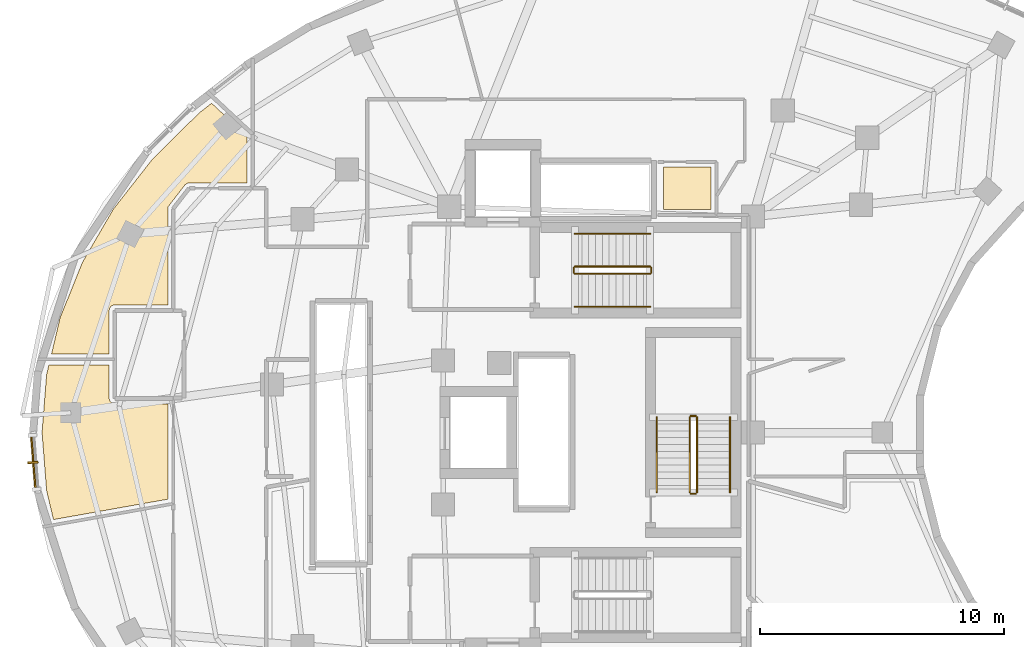
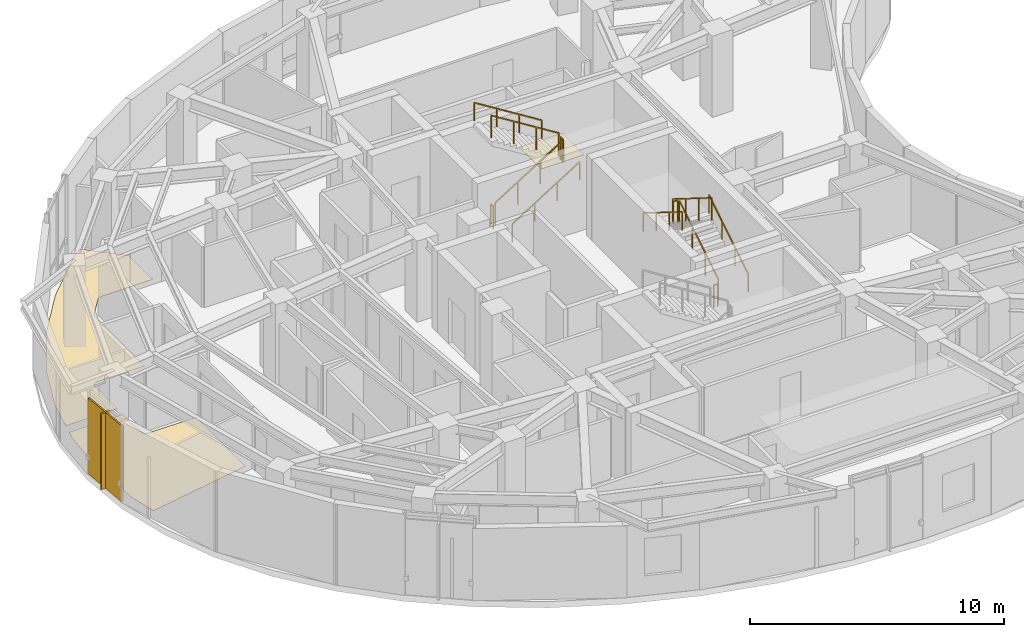
# One storey, part 12 of 13: 12 railings, 3 coverings, 2 shading devices.
"""IFC4 building model written with IfcOpenShell, lengths in metres."""

from ifc_helpers import new_model, si_unit, direction, frame, origin, origin_2d, place, context, subcontext, project, spatial, polyline, rectangle, outline, extrude, material, layer, layer_set, type_object, element, save


model = new_model("IFC4")

# Units and contexts
model_context = context("Model", 3, precision=1e-05, world=origin(), true_north=direction((0.0, 1.0)))
body_context = subcontext(model_context, "Body", "Model", "MODEL_VIEW")
ifc_project = project(units=[si_unit("LENGTHUNIT", "METRE"), si_unit("AREAUNIT", "SQUARE_METRE"), si_unit("VOLUMEUNIT", "CUBIC_METRE"), si_unit("PLANEANGLEUNIT", "RADIAN"), si_unit("MASSUNIT", "GRAM", prefix="KILO")], contexts=[model_context])

# Site, building, storey
site_placement = place(None, origin())
site = spatial("IfcSite", under=ifc_project, at=site_placement, CompositionType="ELEMENT")
building_placement = place(site_placement, origin())
building = spatial("IfcBuilding", under=site, at=building_placement, Name="Korentha Bioscience Tower", CompositionType="ELEMENT")
storey_placement = place(building_placement, frame((0.0, 0.0, 260.39990234375)))
storey = spatial("IfcBuildingStorey", under=building, at=storey_placement, Name="L60", CompositionType="ELEMENT", Elevation=260.39990234375)

# Covering
ifc_material_1 = material(Name="Vitrified Porcelain Tile", Category="ceramic")
ifc_layer_1 = layer(ifc_material_1, 0.014892578125, Name="Vitrified Porcelain Tile")
ifc_layer_set_1 = layer_set([ifc_layer_1], Name="Vitrified Porcelain Tile (FL-CER)")
covering_type_1 = type_object("IfcCoveringType", Name="Anti-Slip Ceramic Wet-Room Tile Flooring 15", PredefinedType="FLOORING", material=ifc_layer_set_1)
covering_1_placement = place(storey_placement, origin())
element("IfcCovering", 1, at=covering_1_placement, inside=storey, type_object=covering_type_1, Name="L60 Accessible Staff WC Floor Finish", PredefinedType="FLOORING", context=body_context, shape_type="SweptSolid", body=[
    extrude(outline(polyline([(33.8701171875, 36.1298828125), (33.8701171875, 37.8701171875), (35.830078125, 37.8701171875), (35.830078125, 36.1298828125), (33.8701171875, 36.1298828125)])), origin(), (0.0, 0.0, 1.0), 0.01513671875),
])

# Railings
ifc_material_2 = material(Name="Stainless Steel 304", Category="steel")
railing_type_1 = type_object("IfcRailingType", Name="Brushed Stainless Stair Handrail 900", PredefinedType="HANDRAIL", material=ifc_material_2)
railing_1_placement = place(storey_placement, frame((30.25, 32.14990234375, 0.175048828125)))
element("IfcRailing", 2, at=railing_1_placement, inside=storey, type_object=railing_type_1, Name="L60 ST-1 stair handrail 1", PredefinedType="HANDRAIL", context=body_context, shape_type="SweptSolid", body=[
    extrude(rectangle(XDim=0.048095703125, YDim=0.048095703125, at=origin_2d()), frame((0.0, 0.0, 0.8759765625), z_axis=(0.847998304005, 0.0, 0.529998940003), x_axis=(0.0, 1.0, 0.0)), (0.0, 0.0, 1.0), 3.632080078125),
    extrude(rectangle(XDim=0.0419921875, YDim=0.0419921875, at=origin_2d()), origin(), (0.0, 0.0, 1.0), 0.851806640625),
    extrude(rectangle(XDim=0.0419921875, YDim=0.0419921875, at=origin_2d()), frame((1.026611328125, 0.0, 0.6416015625)), (0.0, 0.0, 1.0), 0.851806640625),
    extrude(rectangle(XDim=0.0419921875, YDim=0.0419921875, at=origin_2d()), frame((2.053466796875, 0.0, 1.283447265625)), (0.0, 0.0, 1.0), 0.851806640625),
    extrude(rectangle(XDim=0.0419921875, YDim=0.0419921875, at=origin_2d()), frame((3.080078125, 0.0, 1.925048828125)), (0.0, 0.0, 1.0), 0.851806640625),
])
railing_2_placement = place(storey_placement, frame((33.330078125, 35.14990234375, 2.275146484375)))
element("IfcRailing", 3, at=railing_2_placement, inside=storey, type_object=railing_type_1, Name="L60 ST-1 stair handrail 2", PredefinedType="HANDRAIL", context=body_context, shape_type="SweptSolid", body=[
    extrude(rectangle(XDim=0.048095703125, YDim=0.048095703125, at=origin_2d()), frame((0.0, 0.0, 0.8759765625), z_axis=(-0.847998304005, 0.0, 0.529998940003), x_axis=(0.0, -1.0, 0.0)), (0.0, 0.0, 1.0), 3.632080078125),
    extrude(rectangle(XDim=0.0419921875, YDim=0.0419921875, at=origin_2d()), origin(), (0.0, 0.0, 1.0), 0.851806640625),
    extrude(rectangle(XDim=0.0419921875, YDim=0.0419921875, at=origin_2d()), frame((-1.026611328125, 0.0, 0.6416015625)), (0.0, 0.0, 1.0), 0.851806640625),
    extrude(rectangle(XDim=0.0419921875, YDim=0.0419921875, at=origin_2d()), frame((-2.053466796875, 0.0, 1.283447265625)), (0.0, 0.0, 1.0), 0.851806640625),
    extrude(rectangle(XDim=0.0419921875, YDim=0.0419921875, at=origin_2d()), frame((-3.080078125, 0.0, 1.925048828125)), (0.0, 0.0, 1.0), 0.851806640625),
])
railing_3_placement = place(storey_placement, frame((36.60009765625, 24.550048828125, 0.175048828125)))
element("IfcRailing", 4, at=railing_3_placement, inside=storey, type_object=railing_type_1, Name="L60 ST-3 stair handrail 1", PredefinedType="HANDRAIL", context=body_context, shape_type="SweptSolid", body=[
    extrude(rectangle(XDim=0.048095703125, YDim=0.048095703125, at=origin_2d()), frame((0.0, 0.0, 0.8759765625), z_axis=(0.0, 0.847979421464, 0.530029150871), x_axis=(-1.0, 0.0, 0.0)), (0.0, 0.0, 1.0), 3.632080078125),
    extrude(rectangle(XDim=0.0419921875, YDim=0.0419921875, at=origin_2d()), origin(), (0.0, 0.0, 1.0), 0.851806640625),
    extrude(rectangle(XDim=0.0419921875, YDim=0.0419921875, at=origin_2d()), frame((0.0, 1.026611328125, 0.6416015625)), (0.0, 0.0, 1.0), 0.851806640625),
    extrude(rectangle(XDim=0.0419921875, YDim=0.0419921875, at=origin_2d()), frame((0.0, 2.05322265625, 1.283447265625)), (0.0, 0.0, 1.0), 0.851806640625),
    extrude(rectangle(XDim=0.0419921875, YDim=0.0419921875, at=origin_2d()), frame((0.0, 3.079833984375, 1.925048828125)), (0.0, 0.0, 1.0), 0.851806640625),
])
railing_4_placement = place(storey_placement, frame((33.60009765625, 27.6298828125, 2.275146484375)))
element("IfcRailing", 5, at=railing_4_placement, inside=storey, type_object=railing_type_1, Name="L60 ST-3 stair handrail 2", PredefinedType="HANDRAIL", context=body_context, shape_type="SweptSolid", body=[
    extrude(rectangle(XDim=0.048095703125, YDim=0.048095703125, at=origin_2d()), frame((0.0, 0.0, 0.8759765625), z_axis=(0.0, -0.847979421464, 0.530029150871), x_axis=(1.0, 0.0, 0.0)), (0.0, 0.0, 1.0), 3.632080078125),
    extrude(rectangle(XDim=0.0419921875, YDim=0.0419921875, at=origin_2d()), origin(), (0.0, 0.0, 1.0), 0.851806640625),
    extrude(rectangle(XDim=0.0419921875, YDim=0.0419921875, at=origin_2d()), frame((0.0, -1.026611328125, 0.6416015625)), (0.0, 0.0, 1.0), 0.851806640625),
    extrude(rectangle(XDim=0.0419921875, YDim=0.0419921875, at=origin_2d()), frame((0.0, -2.05322265625, 1.283447265625)), (0.0, 0.0, 1.0), 0.851806640625),
    extrude(rectangle(XDim=0.0419921875, YDim=0.0419921875, at=origin_2d()), frame((0.0, -3.079833984375, 1.925048828125)), (0.0, 0.0, 1.0), 0.851806640625),
])
ifc_material_3 = material(Name="Painted Steel S275", Category="steel")
railing_type_2 = type_object("IfcRailingType", Name="Painted Steel Stair Well Guardrail 1100", PredefinedType="GUARDRAIL", material=ifc_material_3)
railing_5_placement = place(storey_placement, frame((30.25, 33.5, 0.175048828125)))
element("IfcRailing", 6, at=railing_5_placement, inside=storey, type_object=railing_type_2, Name="L60 ST-1 stair guard 1", PredefinedType="GUARDRAIL", context=body_context, shape_type="SweptSolid", body=[
    extrude(rectangle(XDim=0.048095703125, YDim=0.048095703125, at=origin_2d()), frame((0.0, 0.0, 1.076171875), z_axis=(0.847998304005, 0.0, 0.529998940003), x_axis=(0.0, 1.0, 0.0)), (0.0, 0.0, 1.0), 3.632080078125),
    extrude(rectangle(XDim=0.0419921875, YDim=0.0419921875, at=origin_2d()), origin(), (0.0, 0.0, 1.0), 1.052001953125),
    extrude(rectangle(XDim=0.0419921875, YDim=0.0419921875, at=origin_2d()), frame((1.026611328125, 0.0, 0.6416015625)), (0.0, 0.0, 1.0), 1.052001953125),
    extrude(rectangle(XDim=0.0419921875, YDim=0.0419921875, at=origin_2d()), frame((2.053466796875, 0.0, 1.283447265625)), (0.0, 0.0, 1.0), 1.052001953125),
    extrude(rectangle(XDim=0.0419921875, YDim=0.0419921875, at=origin_2d()), frame((3.080078125, 0.0, 1.925048828125)), (0.0, 0.0, 1.0), 1.052001953125),
])
railing_6_placement = place(storey_placement, frame((33.3798828125, 33.550048828125, 2.10009765625)))
element("IfcRailing", 7, at=railing_6_placement, inside=storey, type_object=railing_type_2, Name="L60 ST-1 stair guard 2", PredefinedType="GUARDRAIL", context=body_context, shape_type="SweptSolid", body=[
    extrude(rectangle(XDim=0.048095703125, YDim=0.048095703125, at=origin_2d()), frame((0.0, 0.0, 1.076171875), z_axis=(0.0, 1.0, 0.0), x_axis=(-1.0, 0.0, 0.0)), (0.0, 0.0, 1.0), 0.199951171875),
    extrude(rectangle(XDim=0.0419921875, YDim=0.0419921875, at=origin_2d()), origin(), (0.0, 0.0, 1.0), 1.052001953125),
    extrude(rectangle(XDim=0.0419921875, YDim=0.0419921875, at=origin_2d()), frame((0.0, 0.199951171875, 0.0)), (0.0, 0.0, 1.0), 1.052001953125),
])
railing_7_placement = place(storey_placement, frame((33.330078125, 33.800048828125, 2.275146484375)))
element("IfcRailing", 8, at=railing_7_placement, inside=storey, type_object=railing_type_2, Name="L60 ST-1 stair guard 3", PredefinedType="GUARDRAIL", context=body_context, shape_type="SweptSolid", body=[
    extrude(rectangle(XDim=0.048095703125, YDim=0.048095703125, at=origin_2d()), frame((0.0, 0.0, 1.076171875), z_axis=(-0.847998304005, 0.0, 0.529998940003), x_axis=(0.0, -1.0, 0.0)), (0.0, 0.0, 1.0), 3.632080078125),
    extrude(rectangle(XDim=0.0419921875, YDim=0.0419921875, at=origin_2d()), origin(), (0.0, 0.0, 1.0), 1.052001953125),
    extrude(rectangle(XDim=0.0419921875, YDim=0.0419921875, at=origin_2d()), frame((-1.026611328125, 0.0, 0.6416015625)), (0.0, 0.0, 1.0), 1.052001953125),
    extrude(rectangle(XDim=0.0419921875, YDim=0.0419921875, at=origin_2d()), frame((-2.053466796875, 0.0, 1.283447265625)), (0.0, 0.0, 1.0), 1.052001953125),
    extrude(rectangle(XDim=0.0419921875, YDim=0.0419921875, at=origin_2d()), frame((-3.080078125, 0.0, 1.925048828125)), (0.0, 0.0, 1.0), 1.052001953125),
])
railing_8_placement = place(storey_placement, frame((30.199951171875, 33.550048828125, 0.0)))
element("IfcRailing", 9, at=railing_8_placement, inside=storey, type_object=railing_type_2, Name="L60 ST-1 stair guard 4", PredefinedType="GUARDRAIL", context=body_context, shape_type="SweptSolid", body=[
    extrude(rectangle(XDim=0.048095703125, YDim=0.048095703125, at=origin_2d()), frame((0.0, 0.0, 1.076171875), z_axis=(0.0, 1.0, 0.0), x_axis=(-1.0, 0.0, 0.0)), (0.0, 0.0, 1.0), 0.199951171875),
    extrude(rectangle(XDim=0.0419921875, YDim=0.0419921875, at=origin_2d()), origin(), (0.0, 0.0, 1.0), 1.052001953125),
    extrude(rectangle(XDim=0.0419921875, YDim=0.0419921875, at=origin_2d()), frame((0.0, 0.199951171875, 0.0)), (0.0, 0.0, 1.0), 1.052001953125),
])
railing_9_placement = place(storey_placement, frame((35.25, 24.550048828125, 0.175048828125)))
element("IfcRailing", 10, at=railing_9_placement, inside=storey, type_object=railing_type_2, Name="L60 ST-3 stair guard 1", PredefinedType="GUARDRAIL", context=body_context, shape_type="SweptSolid", body=[
    extrude(rectangle(XDim=0.048095703125, YDim=0.048095703125, at=origin_2d()), frame((0.0, 0.0, 1.076171875), z_axis=(0.0, 0.847979421464, 0.530029150871), x_axis=(-1.0, 0.0, 0.0)), (0.0, 0.0, 1.0), 3.632080078125),
    extrude(rectangle(XDim=0.0419921875, YDim=0.0419921875, at=origin_2d()), origin(), (0.0, 0.0, 1.0), 1.052001953125),
    extrude(rectangle(XDim=0.0419921875, YDim=0.0419921875, at=origin_2d()), frame((0.0, 1.026611328125, 0.6416015625)), (0.0, 0.0, 1.0), 1.052001953125),
    extrude(rectangle(XDim=0.0419921875, YDim=0.0419921875, at=origin_2d()), frame((0.0, 2.05322265625, 1.283447265625)), (0.0, 0.0, 1.0), 1.052001953125),
    extrude(rectangle(XDim=0.0419921875, YDim=0.0419921875, at=origin_2d()), frame((0.0, 3.079833984375, 1.925048828125)), (0.0, 0.0, 1.0), 1.052001953125),
])
railing_10_placement = place(storey_placement, frame((35.199951171875, 27.679931640625, 2.10009765625)))
element("IfcRailing", 11, at=railing_10_placement, inside=storey, type_object=railing_type_2, Name="L60 ST-3 stair guard 2", PredefinedType="GUARDRAIL", context=body_context, shape_type="SweptSolid", body=[
    extrude(rectangle(XDim=0.048095703125, YDim=0.048095703125, at=origin_2d()), frame((0.0, 0.0, 1.076171875), z_axis=(-1.0, 0.0, 0.0), x_axis=(0.0, -1.0, 0.0)), (0.0, 0.0, 1.0), 0.199951171875),
    extrude(rectangle(XDim=0.0419921875, YDim=0.0419921875, at=origin_2d()), origin(), (0.0, 0.0, 1.0), 1.052001953125),
    extrude(rectangle(XDim=0.0419921875, YDim=0.0419921875, at=origin_2d()), frame((-0.199951171875, 0.0, 0.0)), (0.0, 0.0, 1.0), 1.052001953125),
])
railing_11_placement = place(storey_placement, frame((34.949951171875, 27.6298828125, 2.275146484375)))
element("IfcRailing", 12, at=railing_11_placement, inside=storey, type_object=railing_type_2, Name="L60 ST-3 stair guard 3", PredefinedType="GUARDRAIL", context=body_context, shape_type="SweptSolid", body=[
    extrude(rectangle(XDim=0.048095703125, YDim=0.048095703125, at=origin_2d()), frame((0.0, 0.0, 1.076171875), z_axis=(0.0, -0.847979421464, 0.530029150871), x_axis=(1.0, 0.0, 0.0)), (0.0, 0.0, 1.0), 3.632080078125),
    extrude(rectangle(XDim=0.0419921875, YDim=0.0419921875, at=origin_2d()), origin(), (0.0, 0.0, 1.0), 1.052001953125),
    extrude(rectangle(XDim=0.0419921875, YDim=0.0419921875, at=origin_2d()), frame((0.0, -1.026611328125, 0.6416015625)), (0.0, 0.0, 1.0), 1.052001953125),
    extrude(rectangle(XDim=0.0419921875, YDim=0.0419921875, at=origin_2d()), frame((0.0, -2.05322265625, 1.283447265625)), (0.0, 0.0, 1.0), 1.052001953125),
    extrude(rectangle(XDim=0.0419921875, YDim=0.0419921875, at=origin_2d()), frame((0.0, -3.079833984375, 1.925048828125)), (0.0, 0.0, 1.0), 1.052001953125),
])
railing_12_placement = place(storey_placement, frame((35.199951171875, 24.5, 0.0)))
element("IfcRailing", 13, at=railing_12_placement, inside=storey, type_object=railing_type_2, Name="L60 ST-3 stair guard 4", PredefinedType="GUARDRAIL", context=body_context, shape_type="SweptSolid", body=[
    extrude(rectangle(XDim=0.048095703125, YDim=0.048095703125, at=origin_2d()), frame((0.0, 0.0, 1.076171875), z_axis=(-1.0, 0.0, 0.0), x_axis=(0.0, -1.0, 0.0)), (0.0, 0.0, 1.0), 0.199951171875),
    extrude(rectangle(XDim=0.0419921875, YDim=0.0419921875, at=origin_2d()), origin(), (0.0, 0.0, 1.0), 1.052001953125),
    extrude(rectangle(XDim=0.0419921875, YDim=0.0419921875, at=origin_2d()), frame((-0.199951171875, 0.0, 0.0)), (0.0, 0.0, 1.0), 1.052001953125),
])

# Shading device
ifc_material_4 = material(Name="Perforated Stone-Ceramic Composite", Category="masonry")
ifc_layer_2 = layer(ifc_material_4, 0.06494140625, Name="Perforated Stone-Ceramic Composite")
ifc_layer_set_2 = layer_set([ifc_layer_2], Name="Perforated Stone-Ceramic Composite (CS-01)")
shading_device_type_1 = type_object("IfcShadingDeviceType", Name="Perforated Stone-Ceramic Solar Screen Panel 65", PredefinedType="USERDEFINED", material=ifc_layer_set_2)
shading_device_1_placement = place(storey_placement, frame((8.064697265625, 25.780517578125, 0.000244140625), z_axis=(0.0, 0.0, 1.0), x_axis=(0.078035250492, -0.996950600421, 0.0)))
element("IfcShadingDevice", 14, at=shading_device_1_placement, inside=storey, type_object=shading_device_type_1, Name="CW-L60-19 Perforated Stone-Ceramic Solar Screen", ObjectType="SCREEN", PredefinedType="USERDEFINED", context=body_context, shape_type="SweptSolid", body=[
    extrude(rectangle(XDim=2.35595703125, YDim=0.06494140625, at=origin_2d()), origin(), (0.0, 0.0, 1.0), 3.64990234375),
])

# Coverings
ifc_material_5 = material(Name="Chemical-Resistant Epoxy Resin", Category="polymer")
ifc_layer_3 = layer(ifc_material_5, 0.011962890625, Name="Chemical-Resistant Epoxy Resin")
ifc_layer_set_3 = layer_set([ifc_layer_3], Name="Chemical-Resistant Epoxy Resin (FL-EPX)")
covering_type_2 = type_object("IfcCoveringType", Name="Seamless Epoxy Laboratory Flooring 12", PredefinedType="FLOORING", material=ifc_layer_set_3)
covering_2_placement = place(storey_placement, origin())
element("IfcCovering", 15, at=covering_2_placement, inside=storey, type_object=covering_type_2, Name="L60 Principal Investigator Office 01 Floor Finish", PredefinedType="FLOORING", context=body_context, shape_type="SweptSolid", body=[
    extrude(outline(polyline([(8.420654296875, 27.0), (8.606201171875, 29.369140625), (8.702880859375, 29.77783203125), (11.169921875, 29.778076171875), (11.17041015625, 28.38818359375), (11.202392578125, 28.2822265625), (11.263427734375, 28.215087890625), (11.39990234375, 28.169921875), (13.570068359375, 28.169921875), (13.570068359375, 24.2705078125), (8.889404296875, 23.436767578125), (8.606201171875, 24.630615234375), (8.420654296875, 27.0)])), origin(), (0.0, 0.0, 1.0), 0.01220703125),
])
covering_3_placement = place(storey_placement, origin())
element("IfcCovering", 16, at=covering_3_placement, inside=storey, type_object=covering_type_2, Name="L60 Staff Tea and Espresso Break Lounge 11 Floor Finish", PredefinedType="FLOORING", context=body_context, shape_type="SweptSolid", body=[
    extrude(outline(polyline([(10.076904296875, 33.979736328125), (11.34423828125, 36.156982421875), (12.946044921875, 38.206298828125), (14.8603515625, 40.097900390625), (15.3671875, 40.490478515625), (16.822021484375, 39.1337890625), (16.822021484375, 37.22998046875), (14.394775390625, 37.22265625), (14.278564453125, 37.150146484375), (13.5908203125, 36.260498046875), (13.570068359375, 36.164794921875), (13.570068359375, 32.22998046875), (11.38916015625, 32.229736328125), (11.322021484375, 32.21630859375), (11.245849609375, 32.170654296875), (11.19189453125, 32.097900390625), (11.17041015625, 32.0107421875), (11.169921875, 30.22802734375), (8.809814453125, 30.22802734375), (9.160400390625, 31.70654296875), (10.076904296875, 33.979736328125)])), origin(), (0.0, 0.0, 1.0), 0.01220703125),
])

# Shading device
ifc_material_6 = material(Name="Honed Travertine Limestone", Category="masonry")
ifc_layer_4 = layer(ifc_material_6, 0.080078125, Name="Honed Travertine Limestone")
ifc_layer_set_4 = layer_set([ifc_layer_4], Name="Honed Travertine Limestone (CS-02)")
shading_device_type_2 = type_object("IfcShadingDeviceType", Name="Vertical Honed Limestone Sunshade Fin 80x420", PredefinedType="USERDEFINED", material=ifc_layer_set_4)
shading_device_2_placement = place(storey_placement, frame((8.044677734375, 25.77880859375, 0.000244140625), z_axis=(0.0, 0.0, 1.0), x_axis=(0.078035250492, -0.996950600421, 0.0)))
element("IfcShadingDevice", 17, at=shading_device_2_placement, inside=storey, type_object=shading_device_type_2, Name="CW-L60-19 Limestone Sunshade Fin", ObjectType="SCREEN", PredefinedType="USERDEFINED", context=body_context, shape_type="SweptSolid", body=[
    extrude(rectangle(XDim=0.080078125, YDim=0.419921875, at=origin_2d()), origin(), (0.0, 0.0, 1.0), 3.64990234375),
])

save(model, "model.ifc")
